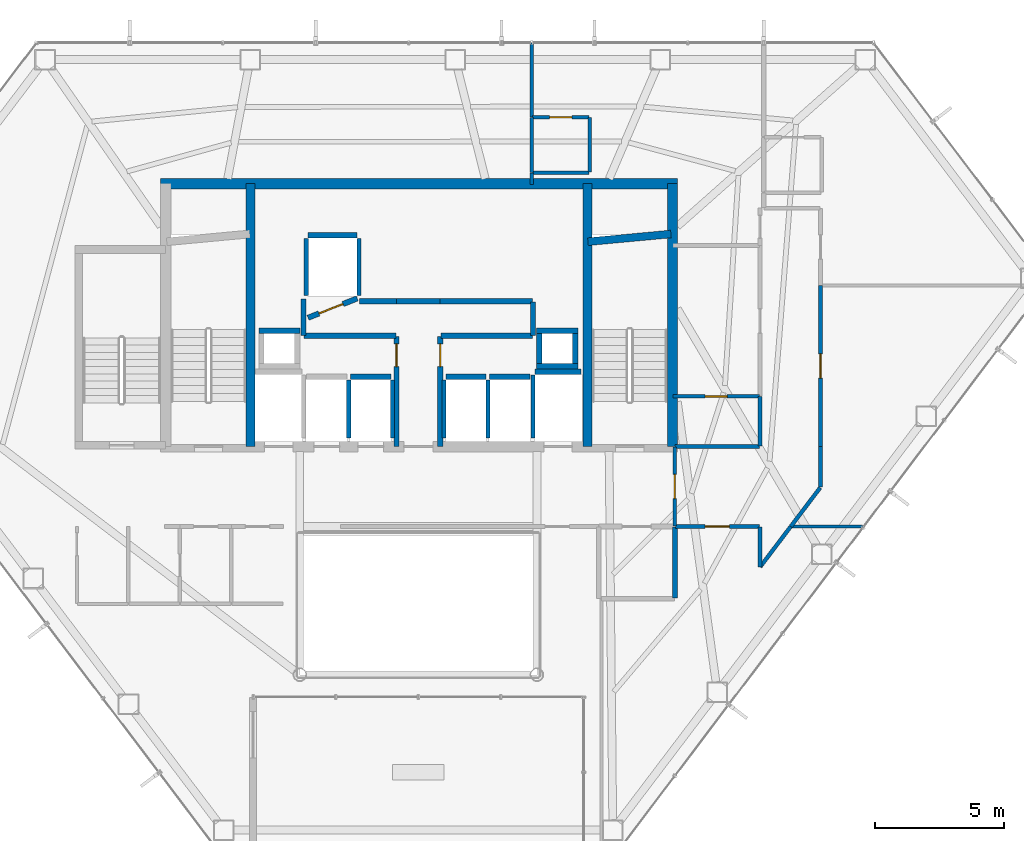
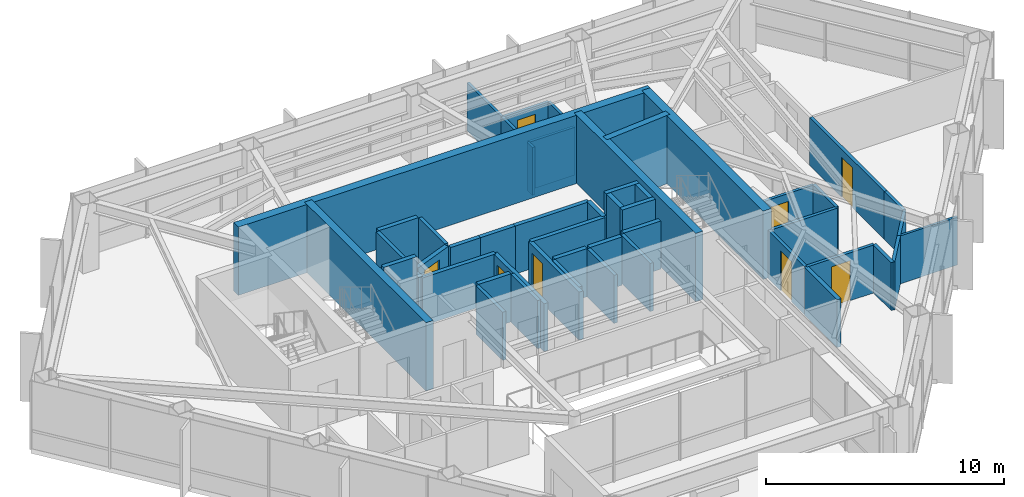
# One storey, part 26 of 28: 50 walls, 8 doors, 8 openings.
"""IFC4 building model written with IfcOpenShell, lengths in metres."""

from ifc_helpers import new_model, si_unit, direction, frame, frame_2d, origin, place, context, subcontext, project, spatial, rectangle, extrude, material, layer, layer_set, type_object, element, fill, save


model = new_model("IFC4")

# Units and contexts
model_context = context("Model", 3, precision=1e-05, world=origin(), true_north=direction((0.0, 1.0)))
body_context = subcontext(model_context, "Body", "Model", "MODEL_VIEW")
ifc_project = project(units=[si_unit("LENGTHUNIT", "METRE"), si_unit("AREAUNIT", "SQUARE_METRE"), si_unit("VOLUMEUNIT", "CUBIC_METRE"), si_unit("PLANEANGLEUNIT", "RADIAN"), si_unit("MASSUNIT", "GRAM", prefix="KILO")], contexts=[model_context])

# Site, building, storey
site_placement = place(None, origin())
site = spatial("IfcSite", under=ifc_project, at=site_placement, CompositionType="ELEMENT")
building_placement = place(site_placement, origin())
building = spatial("IfcBuilding", under=site, at=building_placement, Name="Zarrinselat Tower", CompositionType="ELEMENT")
storey_placement = place(building_placement, frame((0.0, 0.0, 157.080078125)))
storey = spatial("IfcBuildingStorey", under=building, at=storey_placement, Name="L38", CompositionType="ELEMENT", Elevation=157.080078125)

# Wall
ifc_material_1 = material(Name="Concrete C40/50", Category="concrete")
ifc_layer_1 = layer(ifc_material_1, 0.18994140625)
ifc_layer_set_1 = layer_set([ifc_layer_1], Name="Concrete C40/50")
wall_type_1 = type_object("IfcWallType", Name="WAL-PART-EI120", PredefinedType="PARTITIONING", material=ifc_layer_set_1)
wall_1_placement = place(storey_placement, frame((48.35009765625, 27.3701171875, 0.0), z_axis=(0.0, 0.0, 1.0), x_axis=(0.0, 1.0, 0.0)))
element("IfcWall", 1, at=wall_1_placement, inside=storey, type_object=wall_type_1, Name="L38 Partition Wall 17", PredefinedType="PARTITIONING", context=body_context, shape_type="SweptSolid", body=[
    extrude(rectangle(XDim=2.759765625, YDim=0.18994140625, at=frame_2d((1.3798828125, 0.0))), origin(), (0.0, 0.0, 1.0), 2.45703125),
])

# Wall, opening, door
ifc_material_2 = material(Name="Fire-Rated Gypsum Board Partition", Category="gypsum")
ifc_layer_2 = layer(ifc_material_2, 0.14990234375)
ifc_layer_set_2 = layer_set([ifc_layer_2], Name="Fire-Rated Gypsum Board Partition")
wall_type_2 = type_object("IfcWallType", Name="WAL-PART-EI60", PredefinedType="PARTITIONING", material=ifc_layer_set_2)
wall_2_placement = place(storey_placement, frame((48.35009765625, 30.169921875, 0.0), z_axis=(0.0, 0.0, 1.0), x_axis=(0.0, 1.0, 0.0)))
wall_2 = element("IfcWall", 2, at=wall_2_placement, inside=storey, type_object=wall_type_2, Name="L38 Partition Wall 11", PredefinedType="PARTITIONING", context=body_context, shape_type="SweptSolid", body=[
    extrude(rectangle(XDim=3.06005859375, YDim=0.14990234375, at=frame_2d((1.530029296875, 0.0))), origin(), (0.0, 0.0, 1.0), 2.45703125),
])
opening_1_placement = place(wall_2_placement, frame((1.06005859375, 0.0, 0.0)))
opening_1 = element("IfcOpeningElement", 3, at=opening_1_placement, cuts=wall_2, Name="Opening ID-04", PredefinedType="OPENING", context=body_context, shape_type="SweptSolid", body=[
    extrude(rectangle(XDim=0.93994140625, YDim=2.050048828125, at=frame_2d((0.469970703125, 1.02490234375))), frame((0.0, 0.0849609375, 0.0), z_axis=(0.0, -1.0, 0.0), x_axis=(1.0, 0.0, 0.0)), (0.0, 0.0, 1.0), 0.169921875),
])
ifc_material_3 = material(Name="Fire-Rated Gypsum Board Partition")
door_type_1 = type_object("IfcDoorType", Name="DR-INT-FD30-ENT", OperationType="NOTDEFINED", PredefinedType="DOOR", material=ifc_material_3)
door_1_placement = place(opening_1_placement, origin())
door_1 = element("IfcDoor", 4, at=door_1_placement, inside=storey, type_object=door_type_1, Name="L38 Interior Door P11", OperationType="SINGLE_SWING_RIGHT", OverallHeight=2.050048828125, OverallWidth=0.93994140625, PredefinedType="DOOR", context=body_context, shape_type="SweptSolid", body=[
    extrude(rectangle(XDim=0.93994140625, YDim=2.050048828125, at=frame_2d((0.469970703125, 1.02490234375))), frame((0.0, 0.02490234375, 0.0), z_axis=(0.0, -1.0, 0.0), x_axis=(1.0, 0.0, 0.0)), (0.0, 0.0, 1.0), 0.050048828125),
])
fill(opening_1, door_1)

# Walls
wall_3_placement = place(storey_placement, frame((51.662109375, 28.585205078125, 0.0), z_axis=(0.0, 0.0, 1.0), x_axis=(0.603776226183, 0.797153855097, 0.0)))
element("IfcWall", 5, at=wall_3_placement, inside=storey, type_object=wall_type_2, Name="L38 Partition Wall 19", PredefinedType="PARTITIONING", context=body_context, shape_type="SweptSolid", body=[
    extrude(rectangle(XDim=1.9619140625, YDim=0.14990234375, at=frame_2d((0.98095703125, 0.0))), origin(), (0.0, 0.0, 1.0), 2.45703125),
])
wall_4_placement = place(storey_placement, frame((51.64990234375, 28.58935546875, 0.0), z_axis=(0.0, 0.0, 1.0), x_axis=(0.0, 1.0, 0.0)))
element("IfcWall", 6, at=wall_4_placement, inside=storey, type_object=wall_type_2, Name="L38 Partition Wall 20", PredefinedType="PARTITIONING", context=body_context, shape_type="SweptSolid", body=[
    extrude(rectangle(XDim=1.54052734375, YDim=0.14990234375, at=frame_2d((0.770263671875, 0.0))), origin(), (0.0, 0.0, 1.0), 2.45703125),
])

# Wall, opening, door
wall_5_placement = place(storey_placement, frame((48.3701171875, 30.14990234375, 0.0), z_axis=(0.0, 0.0, 1.0), x_axis=(1.0, 0.0, 0.0)))
wall_5 = element("IfcWall", 7, at=wall_5_placement, inside=storey, type_object=wall_type_2, Name="L38 Partition Wall 21", PredefinedType="PARTITIONING", context=body_context, shape_type="SweptSolid", body=[
    extrude(rectangle(XDim=3.259765625, YDim=0.14990234375, at=frame_2d((1.6298828125, 0.0))), origin(), (0.0, 0.0, 1.0), 2.45703125),
])
opening_2_placement = place(wall_5_placement, frame((1.159912109375, 0.0, 0.0)))
opening_2 = element("IfcOpeningElement", 8, at=opening_2_placement, cuts=wall_5, Name="Opening ID-04", PredefinedType="OPENING", context=body_context, shape_type="SweptSolid", body=[
    extrude(rectangle(XDim=0.93994140625, YDim=2.050048828125, at=frame_2d((0.469970703125, 1.02490234375))), frame((0.0, 0.0849609375, 0.0), z_axis=(0.0, -1.0, 0.0), x_axis=(1.0, 0.0, 0.0)), (0.0, 0.0, 1.0), 0.169921875),
])
door_2_placement = place(opening_2_placement, origin())
door_2 = element("IfcDoor", 9, at=door_2_placement, inside=storey, type_object=door_type_1, Name="L38 Interior Door P21", OperationType="SINGLE_SWING_RIGHT", OverallHeight=2.050048828125, OverallWidth=0.93994140625, PredefinedType="DOOR", context=body_context, shape_type="SweptSolid", body=[
    extrude(rectangle(XDim=0.93994140625, YDim=2.050048828125, at=frame_2d((0.469970703125, 1.02490234375))), frame((0.0, 0.02490234375, 0.0), z_axis=(0.0, -1.0, 0.0), x_axis=(1.0, 0.0, 0.0)), (0.0, 0.0, 1.0), 0.050048828125),
])
fill(opening_2, door_2)

wall_6_placement = place(storey_placement, frame((54.0, 33.25, 0.0), z_axis=(0.0, 0.0, 1.0), x_axis=(0.0, 1.0, 0.0)))
wall_6 = element("IfcWall", 10, at=wall_6_placement, inside=storey, type_object=wall_type_2, Name="L38 Partition Wall 22", PredefinedType="PARTITIONING", context=body_context, shape_type="SweptSolid", body=[
    extrude(rectangle(XDim=6.248291015625, YDim=0.14990234375, at=frame_2d((3.1240234375, 0.0))), origin(), (0.0, 0.0, 1.0), 2.45703125),
])
opening_3_placement = place(wall_6_placement, frame((2.654296875, 0.0, 0.0)))
opening_3 = element("IfcOpeningElement", 11, at=opening_3_placement, cuts=wall_6, Name="Opening ID-04", PredefinedType="OPENING", context=body_context, shape_type="SweptSolid", body=[
    extrude(rectangle(XDim=0.93994140625, YDim=2.050048828125, at=frame_2d((0.469970703125, 1.02490234375))), frame((0.0, 0.0849609375, 0.0), z_axis=(0.0, -1.0, 0.0), x_axis=(1.0, 0.0, 0.0)), (0.0, 0.0, 1.0), 0.169921875),
])
door_3_placement = place(opening_3_placement, origin())
door_3 = element("IfcDoor", 12, at=door_3_placement, inside=storey, type_object=door_type_1, Name="L38 Interior Door P22", OperationType="SINGLE_SWING_LEFT", OverallHeight=2.050048828125, OverallWidth=0.93994140625, PredefinedType="DOOR", context=body_context, shape_type="SweptSolid", body=[
    extrude(rectangle(XDim=0.93994140625, YDim=2.050048828125, at=frame_2d((0.469970703125, 1.02490234375))), frame((0.0, 0.02490234375, 0.0), z_axis=(0.0, -1.0, 0.0), x_axis=(1.0, 0.0, 0.0)), (0.0, 0.0, 1.0), 0.050048828125),
])
fill(opening_3, door_3)

# Walls
wall_7_placement = place(storey_placement, frame((54.0, 31.69140625, 0.0), z_axis=(0.0, 0.0, 1.0), x_axis=(0.0, 1.0, 0.0)))
element("IfcWall", 13, at=wall_7_placement, inside=storey, type_object=wall_type_2, Name="L38 Partition Wall 23", PredefinedType="PARTITIONING", context=body_context, shape_type="SweptSolid", body=[
    extrude(rectangle(XDim=1.55859375, YDim=0.14990234375, at=frame_2d((0.779296875, 0.0))), origin(), (0.0, 0.0, 1.0), 2.45703125),
])
wall_8_placement = place(storey_placement, frame((52.8505859375, 30.154052734375, 0.0), z_axis=(0.0, 0.0, 1.0), x_axis=(0.603767842841, 0.797160204696, 0.0)))
element("IfcWall", 14, at=wall_8_placement, inside=storey, type_object=wall_type_2, Name="L38 Partition Wall 24", PredefinedType="PARTITIONING", context=body_context, shape_type="SweptSolid", body=[
    extrude(rectangle(XDim=1.883544921875, YDim=0.14990234375, at=frame_2d((0.94189453125, 0.0))), origin(), (0.0, 0.0, 1.0), 2.45703125),
])
wall_9_placement = place(storey_placement, frame((48.364990234375, 33.25, 0.0), z_axis=(0.0, 0.0, 1.0), x_axis=(1.0, 0.0, 0.0)))
element("IfcWall", 15, at=wall_9_placement, inside=storey, type_object=wall_type_2, Name="L38 Partition Wall 28", PredefinedType="PARTITIONING", context=body_context, shape_type="SweptSolid", body=[
    extrude(rectangle(XDim=3.264892578125, YDim=0.14990234375, at=frame_2d((1.63232421875, 0.0))), origin(), (0.0, 0.0, 1.0), 2.45703125),
])
wall_10_placement = place(storey_placement, frame((51.64990234375, 33.27001953125, 0.0), z_axis=(0.0, 0.0, 1.0), x_axis=(0.0, 1.0, 0.0)))
element("IfcWall", 16, at=wall_10_placement, inside=storey, type_object=wall_type_2, Name="L38 Partition Wall 29", PredefinedType="PARTITIONING", context=body_context, shape_type="SweptSolid", body=[
    extrude(rectangle(XDim=1.92578125, YDim=0.14990234375, at=frame_2d((0.962890625, 0.0))), origin(), (0.0, 0.0, 1.0), 2.45703125),
])

# Wall, opening, door
ifc_material_4 = material(Name="Concrete C40/50", Category="concrete")
ifc_layer_3 = layer(ifc_material_4, 0.199951171875)
ifc_layer_set_3 = layer_set([ifc_layer_3], Name="Concrete C40/50")
wall_type_3 = type_object("IfcWallType", Name="WAL-PART-PLANT", PredefinedType="PARTITIONING", material=ifc_layer_set_3)
wall_11_placement = place(storey_placement, frame((37.550048828125, 33.264892578125, 0.0), z_axis=(0.0, 0.0, 1.0), x_axis=(0.0, 1.0, 0.0)))
wall_11 = element("IfcWall", 17, at=wall_11_placement, inside=storey, type_object=wall_type_3, Name="L38 Partition Wall 1", PredefinedType="PARTITIONING", context=body_context, shape_type="SweptSolid", body=[
    extrude(rectangle(XDim=4.26513671875, YDim=0.199951171875, at=frame_2d((2.132568359375, 0.0))), origin(), (0.0, 0.0, 1.0), 2.45703125),
])
opening_4_placement = place(wall_11_placement, frame((3.092529296875, 0.0, 0.0)))
opening_4 = element("IfcOpeningElement", 18, at=opening_4_placement, cuts=wall_11, Name="Opening ID-03", PredefinedType="OPENING", context=body_context, shape_type="SweptSolid", body=[
    extrude(rectangle(XDim=0.8798828125, YDim=2.050048828125, at=frame_2d((0.43994140625, 1.02490234375))), frame((0.0, 0.10986328125, 0.0), z_axis=(0.0, -1.0, 0.0), x_axis=(1.0, 0.0, 0.0)), (0.0, 0.0, 1.0), 0.219970703125),
])
ifc_material_5 = material(Name="Steel S355J2", Category="steel")
door_type_2 = type_object("IfcDoorType", Name="DR-INT-FD60-S", OperationType="NOTDEFINED", PredefinedType="DOOR", material=ifc_material_5)
door_4_placement = place(opening_4_placement, origin())
door_4 = element("IfcDoor", 19, at=door_4_placement, inside=storey, type_object=door_type_2, Name="L38 Interior Door P1", OperationType="SINGLE_SWING_LEFT", OverallHeight=2.050048828125, OverallWidth=0.8798828125, PredefinedType="DOOR", context=body_context, shape_type="SweptSolid", body=[
    extrude(rectangle(XDim=0.8798828125, YDim=2.050048828125, at=frame_2d((0.43994140625, 1.02490234375))), frame((0.0, 0.02490234375, 0.0), z_axis=(0.0, -1.0, 0.0), x_axis=(1.0, 0.0, 0.0)), (0.0, 0.0, 1.0), 0.050048828125),
])
fill(opening_4, door_4)

# Walls
wall_12_placement = place(storey_placement, frame((33.969970703125, 37.550048828125, 0.0), z_axis=(0.0, 0.0, 1.0), x_axis=(1.0, 0.0, 0.0)))
element("IfcWall", 20, at=wall_12_placement, inside=storey, type_object=wall_type_3, Name="L38 Partition Wall 2", PredefinedType="PARTITIONING", context=body_context, shape_type="SweptSolid", body=[
    extrude(rectangle(XDim=3.56005859375, YDim=0.199951171875, at=frame_2d((1.780029296875, 0.0))), origin(), (0.0, 0.0, 1.0), 2.45703125),
])
wall_13_placement = place(storey_placement, frame((33.949951171875, 37.570068359375, 0.0), z_axis=(0.0, 0.0, 1.0), x_axis=(0.0, 1.0, 0.0)))
element("IfcWall", 21, at=wall_13_placement, inside=storey, type_object=wall_type_3, Name="L38 Partition Wall 3", PredefinedType="PARTITIONING", context=body_context, shape_type="SweptSolid", body=[
    extrude(rectangle(XDim=1.4150390625, YDim=0.199951171875, at=frame_2d((0.70751953125, 0.0))), origin(), (0.0, 0.0, 1.0), 2.45703125),
])
wall_14_placement = place(storey_placement, frame((36.114990234375, 38.889892578125, 0.0), z_axis=(0.0, 0.0, 1.0), x_axis=(1.0, 0.0, 0.0)))
element("IfcWall", 22, at=wall_14_placement, inside=storey, type_object=wall_type_3, Name="L38 Partition Wall 4", PredefinedType="PARTITIONING", context=body_context, shape_type="SweptSolid", body=[
    extrude(rectangle(XDim=1.43505859375, YDim=0.199951171875, at=frame_2d((0.717529296875, 0.0))), origin(), (0.0, 0.0, 1.0), 2.45703125),
])
wall_15_placement = place(storey_placement, frame((37.550048828125, 38.889892578125, 0.0), z_axis=(0.0, 0.0, 1.0), x_axis=(1.0, 0.0, 0.0)))
element("IfcWall", 23, at=wall_15_placement, inside=storey, type_object=wall_type_3, Name="L38 Partition Wall 5", PredefinedType="PARTITIONING", context=body_context, shape_type="SweptSolid", body=[
    extrude(rectangle(XDim=1.699951171875, YDim=0.199951171875, at=frame_2d((0.85009765625, 0.0))), origin(), (0.0, 0.0, 1.0), 2.45703125),
])
wall_16_placement = place(storey_placement, frame((39.25, 38.889892578125, 0.0), z_axis=(0.0, 0.0, 1.0), x_axis=(1.0, 0.0, 0.0)))
element("IfcWall", 24, at=wall_16_placement, inside=storey, type_object=wall_type_3, Name="L38 Partition Wall 6", PredefinedType="PARTITIONING", context=body_context, shape_type="SweptSolid", body=[
    extrude(rectangle(XDim=3.580078125, YDim=0.199951171875, at=frame_2d((1.7900390625, 0.0))), origin(), (0.0, 0.0, 1.0), 2.45703125),
])
wall_17_placement = place(storey_placement, frame((42.85009765625, 37.570068359375, 0.0), z_axis=(0.0, 0.0, 1.0), x_axis=(0.0, 1.0, 0.0)))
element("IfcWall", 25, at=wall_17_placement, inside=storey, type_object=wall_type_3, Name="L38 Partition Wall 7", PredefinedType="PARTITIONING", context=body_context, shape_type="SweptSolid", body=[
    extrude(rectangle(XDim=1.300048828125, YDim=0.199951171875, at=frame_2d((0.64990234375, 0.0))), origin(), (0.0, 0.0, 1.0), 2.45703125),
])
wall_18_placement = place(storey_placement, frame((39.27001953125, 37.550048828125, 0.0), z_axis=(0.0, 0.0, 1.0), x_axis=(1.0, 0.0, 0.0)))
element("IfcWall", 26, at=wall_18_placement, inside=storey, type_object=wall_type_3, Name="L38 Partition Wall 8", PredefinedType="PARTITIONING", context=body_context, shape_type="SweptSolid", body=[
    extrude(rectangle(XDim=3.56005859375, YDim=0.199951171875, at=frame_2d((1.780029296875, 0.0))), origin(), (0.0, 0.0, 1.0), 2.45703125),
])

# Wall, opening, door
wall_19_placement = place(storey_placement, frame((39.25, 33.264892578125, 0.0), z_axis=(0.0, 0.0, 1.0), x_axis=(0.0, 1.0, 0.0)))
wall_19 = element("IfcWall", 27, at=wall_19_placement, inside=storey, type_object=wall_type_3, Name="L38 Partition Wall 9", PredefinedType="PARTITIONING", context=body_context, shape_type="SweptSolid", body=[
    extrude(rectangle(XDim=4.26513671875, YDim=0.199951171875, at=frame_2d((2.132568359375, 0.0))), origin(), (0.0, 0.0, 1.0), 2.45703125),
])
opening_5_placement = place(wall_19_placement, frame((3.092529296875, 0.0, 0.0)))
opening_5 = element("IfcOpeningElement", 28, at=opening_5_placement, cuts=wall_19, Name="Opening ID-03", PredefinedType="OPENING", context=body_context, shape_type="SweptSolid", body=[
    extrude(rectangle(XDim=0.8798828125, YDim=2.050048828125, at=frame_2d((0.43994140625, 1.02490234375))), frame((0.0, 0.10986328125, 0.0), z_axis=(0.0, -1.0, 0.0), x_axis=(1.0, 0.0, 0.0)), (0.0, 0.0, 1.0), 0.219970703125),
])
door_5_placement = place(opening_5_placement, origin())
door_5 = element("IfcDoor", 29, at=door_5_placement, inside=storey, type_object=door_type_2, Name="L38 Interior Door P9", OperationType="SINGLE_SWING_RIGHT", OverallHeight=2.050048828125, OverallWidth=0.8798828125, PredefinedType="DOOR", context=body_context, shape_type="SweptSolid", body=[
    extrude(rectangle(XDim=0.8798828125, YDim=2.050048828125, at=frame_2d((0.43994140625, 1.02490234375))), frame((0.0, 0.02490234375, 0.0), z_axis=(0.0, -1.0, 0.0), x_axis=(1.0, 0.0, 0.0)), (0.0, 0.0, 1.0), 0.050048828125),
])
fill(opening_5, door_5)

# Walls
ifc_material_6 = material(Name="Fire-Rated Gypsum Board Partition", Category="gypsum")
ifc_layer_4 = layer(ifc_material_6, 0.1201171875)
ifc_layer_set_4 = layer_set([ifc_layer_4], Name="Fire-Rated Gypsum Board Partition")
wall_type_4 = type_object("IfcWallType", Name="WAL-PART-STD", PredefinedType="PARTITIONING", material=ifc_layer_set_4)
wall_20_placement = place(storey_placement, frame((52.867431640625, 30.14990234375, 0.0), z_axis=(0.0, 0.0, 1.0), x_axis=(1.0, 0.0, 0.0)))
element("IfcWall", 30, at=wall_20_placement, inside=storey, type_object=wall_type_4, Name="L38 Partition Wall 40", PredefinedType="PARTITIONING", context=body_context, shape_type="SweptSolid", body=[
    extrude(rectangle(XDim=2.80029296875, YDim=0.1201171875, at=frame_2d((1.400146484375, 0.0))), origin(), (0.0, 0.0, 1.0), 2.45703125),
])
wall_21_placement = place(storey_placement, frame((42.800048828125, 46.034912109375, 0.0), z_axis=(0.0, 0.0, 1.0), x_axis=(0.0, 1.0, 0.0)))
element("IfcWall", 31, at=wall_21_placement, inside=storey, type_object=wall_type_4, Name="L38 Partition Wall 41", PredefinedType="PARTITIONING", context=body_context, shape_type="SweptSolid", body=[
    extrude(rectangle(XDim=2.86669921875, YDim=0.1201171875, at=frame_2d((1.433349609375, 0.0))), origin(), (0.0, 0.0, 1.0), 2.45703125),
])
wall_22_placement = place(storey_placement, frame((42.800048828125, 43.4150390625, 0.0), z_axis=(0.0, 0.0, 1.0), x_axis=(0.0, 1.0, 0.0)))
element("IfcWall", 32, at=wall_22_placement, inside=storey, type_object=wall_type_4, Name="L38 Partition Wall 42", PredefinedType="PARTITIONING", context=body_context, shape_type="SweptSolid", body=[
    extrude(rectangle(XDim=0.4599609375, YDim=0.1201171875, at=frame_2d((0.22998046875, 0.0))), origin(), (0.0, 0.0, 1.0), 2.45703125),
])
ifc_material_7 = material(Name="Fire-Rated Gypsum Board Partition", Category="gypsum")
ifc_layer_5 = layer(ifc_material_7, 0.135009765625)
ifc_layer_set_5 = layer_set([ifc_layer_5], Name="Fire-Rated Gypsum Board Partition")
wall_type_5 = type_object("IfcWallType", Name="WAL-PART-WET", PredefinedType="PARTITIONING", material=ifc_layer_set_5)
wall_23_placement = place(storey_placement, frame((42.800048828125, 43.885009765625, 0.0), z_axis=(0.0, 0.0, 1.0), x_axis=(0.0, 1.0, 0.0)))
element("IfcWall", 33, at=wall_23_placement, inside=storey, type_object=wall_type_5, Name="L38 Partition Wall 43", PredefinedType="PARTITIONING", context=body_context, shape_type="SweptSolid", body=[
    extrude(rectangle(XDim=2.139892578125, YDim=0.135009765625, at=frame_2d((1.06982421875, 0.0))), origin(), (0.0, 0.0, 1.0), 2.45703125),
])

# Wall, opening, door
wall_24_placement = place(storey_placement, frame((48.27490234375, 35.20068359375, 0.0), z_axis=(0.0, 0.0, 1.0), x_axis=(1.0, 0.0, 0.0)))
wall_24 = element("IfcWall", 34, at=wall_24_placement, inside=storey, type_object=wall_type_5, Name="L38 Partition Wall 51", PredefinedType="PARTITIONING", context=body_context, shape_type="SweptSolid", body=[
    extrude(rectangle(XDim=3.35498046875, YDim=0.135009765625, at=frame_2d((1.677490234375, 0.0))), origin(), (0.0, 0.0, 1.0), 2.45703125),
])
opening_6_placement = place(wall_24_placement, frame((1.24755859375, 0.0, 0.0)))
opening_6 = element("IfcOpeningElement", 35, at=opening_6_placement, cuts=wall_24, Name="Opening ID-06", PredefinedType="OPENING", context=body_context, shape_type="SweptSolid", body=[
    extrude(rectangle(XDim=0.860107421875, YDim=2.050048828125, at=frame_2d((0.43017578125, 1.02490234375))), frame((0.0, 0.077392578125, 0.0), z_axis=(0.0, -1.0, 0.0), x_axis=(1.0, 0.0, 0.0)), (0.0, 0.0, 1.0), 0.155029296875),
])
ifc_material_8 = material(Name="Extruded Aluminium Alloy EN AW-6063 T6", Category="aluminium")
door_type_3 = type_object("IfcDoorType", Name="DR-INT-WET-900", OperationType="NOTDEFINED", PredefinedType="DOOR", material=ifc_material_8)
door_6_placement = place(opening_6_placement, origin())
door_6 = element("IfcDoor", 36, at=door_6_placement, inside=storey, type_object=door_type_3, Name="L38 Interior Door P51", OperationType="SINGLE_SWING_RIGHT", OverallHeight=2.050048828125, OverallWidth=0.860107421875, PredefinedType="DOOR", context=body_context, shape_type="SweptSolid", body=[
    extrude(rectangle(XDim=0.860107421875, YDim=2.050048828125, at=frame_2d((0.43017578125, 1.02490234375))), frame((0.0, 0.02490234375, 0.0), z_axis=(0.0, -1.0, 0.0), x_axis=(1.0, 0.0, 0.0)), (0.0, 0.0, 1.0), 0.050048828125),
])
fill(opening_6, door_6)

# Walls
wall_25_placement = place(storey_placement, frame((42.820068359375, 43.8798828125, 0.0), z_axis=(0.0, 0.0, 1.0), x_axis=(1.0, 0.0, 0.0)))
element("IfcWall", 37, at=wall_25_placement, inside=storey, type_object=wall_type_5, Name="L38 Partition Wall 53", PredefinedType="PARTITIONING", context=body_context, shape_type="SweptSolid", body=[
    extrude(rectangle(XDim=2.2099609375, YDim=0.135009765625, at=frame_2d((1.10498046875, 0.0))), origin(), (0.0, 0.0, 1.0), 2.45703125),
])
wall_26_placement = place(storey_placement, frame((45.050048828125, 43.89990234375, 0.0), z_axis=(0.0, 0.0, 1.0), x_axis=(0.0, 1.0, 0.0)))
element("IfcWall", 38, at=wall_26_placement, inside=storey, type_object=wall_type_5, Name="L38 Partition Wall 54", PredefinedType="PARTITIONING", context=body_context, shape_type="SweptSolid", body=[
    extrude(rectangle(XDim=2.110107421875, YDim=0.135009765625, at=frame_2d((1.05517578125, 0.0))), origin(), (0.0, 0.0, 1.0), 2.45703125),
])

# Wall, opening, door
wall_27_placement = place(storey_placement, frame((42.820068359375, 46.030029296875, 0.0), z_axis=(0.0, 0.0, 1.0), x_axis=(1.0, 0.0, 0.0)))
wall_27 = element("IfcWall", 39, at=wall_27_placement, inside=storey, type_object=wall_type_5, Name="L38 Partition Wall 55", PredefinedType="PARTITIONING", context=body_context, shape_type="SweptSolid", body=[
    extrude(rectangle(XDim=2.2099609375, YDim=0.135009765625, at=frame_2d((1.10498046875, 0.0))), origin(), (0.0, 0.0, 1.0), 2.45703125),
])
opening_7_placement = place(wall_27_placement, frame((0.675048828125, 0.0, 0.0)))
opening_7 = element("IfcOpeningElement", 40, at=opening_7_placement, cuts=wall_27, Name="Opening ID-06", PredefinedType="OPENING", context=body_context, shape_type="SweptSolid", body=[
    extrude(rectangle(XDim=0.860107421875, YDim=2.050048828125, at=frame_2d((0.43017578125, 1.02490234375))), frame((0.0, 0.077392578125, 0.0), z_axis=(0.0, -1.0, 0.0), x_axis=(1.0, 0.0, 0.0)), (0.0, 0.0, 1.0), 0.155029296875),
])
door_7_placement = place(opening_7_placement, origin())
door_7 = element("IfcDoor", 41, at=door_7_placement, inside=storey, type_object=door_type_3, Name="L38 Interior Door P55", OperationType="SINGLE_SWING_LEFT", OverallHeight=2.050048828125, OverallWidth=0.860107421875, PredefinedType="DOOR", context=body_context, shape_type="SweptSolid", body=[
    extrude(rectangle(XDim=0.860107421875, YDim=2.050048828125, at=frame_2d((0.43017578125, 1.02490234375))), frame((0.0, 0.02490234375, 0.0), z_axis=(0.0, -1.0, 0.0), x_axis=(1.0, 0.0, 0.0)), (0.0, 0.0, 1.0), 0.050048828125),
])
fill(opening_7, door_7)

# Walls
ifc_material_9 = material(Name="Concrete C40/50", Category="concrete")
ifc_layer_6 = layer(ifc_material_9, 0.2099609375)
ifc_layer_set_6 = layer_set([ifc_layer_6], Name="Concrete C40/50")
wall_type_6 = type_object("IfcWallType", Name="WAL-SHAFT-210", PredefinedType="SOLIDWALL", material=ifc_layer_set_6)
wall_28_placement = place(storey_placement, frame((42.919921875, 36.155029296875, 0.0), z_axis=(0.0, 0.0, 1.0), x_axis=(1.0, 0.0, 0.0)))
element("IfcWall", 42, at=wall_28_placement, inside=storey, type_object=wall_type_6, Name="L38 Lift FFL2 North Shaft Wall", PredefinedType="SOLIDWALL", context=body_context, shape_type="SweptSolid", body=[
    extrude(rectangle(XDim=1.800048828125, YDim=0.2099609375, at=frame_2d((0.89990234375, 0.0))), origin(), (0.0, 0.0, 1.0), 2.471923828125),
])
wall_29_placement = place(storey_placement, frame((42.85009765625, 33.580078125, 0.0), z_axis=(0.0, 0.0, 1.0), x_axis=(0.0, 1.0, 0.0)))
element("IfcWall", 43, at=wall_29_placement, inside=storey, type_object=wall_type_6, Name="L38 Lift FFL2 W Shaft Wall", PredefinedType="SOLIDWALL", context=body_context, shape_type="SweptSolid", body=[
    extrude(rectangle(XDim=2.449951171875, YDim=0.159912109375, at=frame_2d((1.22509765625, 0.0))), origin(), (0.0, 0.0, 1.0), 2.471923828125),
])
wall_30_placement = place(storey_placement, frame((35.699951171875, 33.580078125, 0.0), z_axis=(0.0, 0.0, 1.0), x_axis=(0.0, 1.0, 0.0)))
element("IfcWall", 44, at=wall_30_placement, inside=storey, type_object=wall_type_6, Name="L38 Lift PL5 E Shaft Wall", PredefinedType="SOLIDWALL", context=body_context, shape_type="SweptSolid", body=[
    extrude(rectangle(XDim=2.25, YDim=0.159912109375, at=frame_2d((1.125, 0.0))), origin(), (0.0, 0.0, 1.0), 2.471923828125),
])
wall_31_placement = place(storey_placement, frame((35.77001953125, 35.955078125, 0.0), z_axis=(0.0, 0.0, 1.0), x_axis=(1.0, 0.0, 0.0)))
element("IfcWall", 45, at=wall_31_placement, inside=storey, type_object=wall_type_6, Name="L38 Lift PL6 North Shaft Wall", PredefinedType="SOLIDWALL", context=body_context, shape_type="SweptSolid", body=[
    extrude(rectangle(XDim=1.56005859375, YDim=0.2099609375, at=frame_2d((0.780029296875, 0.0))), origin(), (0.0, 0.0, 1.0), 2.471923828125),
])
wall_32_placement = place(storey_placement, frame((37.39990234375, 33.580078125, 0.0), z_axis=(0.0, 0.0, 1.0), x_axis=(0.0, 1.0, 0.0)))
element("IfcWall", 46, at=wall_32_placement, inside=storey, type_object=wall_type_6, Name="L38 Lift PL6 E Shaft Wall", PredefinedType="SOLIDWALL", context=body_context, shape_type="SweptSolid", body=[
    extrude(rectangle(XDim=2.25, YDim=0.159912109375, at=frame_2d((1.125, 0.0))), origin(), (0.0, 0.0, 1.0), 2.471923828125),
])

# Wall, opening, door
wall_33_placement = place(storey_placement, frame((34.1201171875, 38.25, 0.0), z_axis=(0.0, 0.0, 1.0), x_axis=(0.930804993012, 0.36551616241, 0.0)))
wall_33 = element("IfcWall", 47, at=wall_33_placement, inside=storey, type_object=wall_type_6, Name="L38 Lift PL7 Front Shaft Wall", PredefinedType="SOLIDWALL", context=body_context, shape_type="SweptSolid", body=[
    extrude(rectangle(XDim=2.052001953125, YDim=0.2099609375, at=frame_2d((1.02587890625, 0.0))), origin(), (0.0, 0.0, 1.0), 2.471923828125),
])
opening_8_placement = place(wall_33_placement, frame((0.455078125, 0.0, 0.0)))
opening_8 = element("IfcOpeningElement", 48, at=opening_8_placement, cuts=wall_33, Name="Opening LD-PL7", PredefinedType="OPENING", context=body_context, shape_type="SweptSolid", body=[
    extrude(rectangle(XDim=1.0, YDim=2.10009765625, at=frame_2d((0.5, 1.050048828125))), frame((0.0, 0.114990234375, 0.0), z_axis=(0.0, -1.0, 0.0), x_axis=(1.0, 0.0, 0.0)), (0.0, 0.0, 1.0), 0.22998046875),
])
ifc_material_10 = material(Name="Steel S355J2", Category="steel")
door_type_4 = type_object("IfcDoorType", Name="DR-LIFT-PS-1000", OperationType="NOTDEFINED", PredefinedType="DOOR", material=ifc_material_10)
door_8_placement = place(opening_8_placement, origin())
door_8 = element("IfcDoor", 49, at=door_8_placement, inside=storey, type_object=door_type_4, Name="L38 Lift PL7 Sliding Landing Door", OperationType="SLIDING_TO_LEFT", OverallHeight=2.10009765625, OverallWidth=1.0, PredefinedType="DOOR", context=body_context, shape_type="SweptSolid", body=[
    extrude(rectangle(XDim=1.0, YDim=2.10009765625, at=frame_2d((0.5, 1.050048828125))), frame((0.0, 0.02490234375, 0.0), z_axis=(0.0, -1.0, 0.0), x_axis=(1.0, 0.0, 0.0)), (0.0, 0.0, 1.0), 0.050048828125),
])
fill(opening_8, door_8)

# Walls
wall_34_placement = place(storey_placement, frame((34.1201171875, 41.455078125, 0.0), z_axis=(0.0, 0.0, 1.0), x_axis=(1.0, 0.0, 0.0)))
element("IfcWall", 50, at=wall_34_placement, inside=storey, type_object=wall_type_6, Name="L38 Lift PL7 Rear Shaft Wall", PredefinedType="SOLIDWALL", context=body_context, shape_type="SweptSolid", body=[
    extrude(rectangle(XDim=1.909912109375, YDim=0.2099609375, at=frame_2d((0.955078125, 0.0))), origin(), (0.0, 0.0, 1.0), 2.471923828125),
])
for number, where, z_axis, x_axis, name in (
    (51, (34.050048828125, 39.1201171875, 0.0), (0.0, 0.0, 1.0), (0.0, 1.0, 0.0), "L38 Lift PL7 W Shaft Wall"),
    (52, (36.10009765625, 39.1201171875, 0.0), (0.0, 0.0, 1.0), (0.0, 1.0, 0.0), "L38 Lift PL7 E Shaft Wall"),
):
    element("IfcWall", number, at=place(storey_placement, frame(where, z_axis=z_axis, x_axis=x_axis)), inside=storey, type_object=wall_type_6, Name=name, PredefinedType="SOLIDWALL", context=body_context, shape_type="SweptSolid", body=[
        extrude(rectangle(XDim=2.2099609375, YDim=0.159912109375, at=frame_2d((1.10498046875, 0.0))), origin(), (0.0, 0.0, 1.0), 2.471923828125),
    ])
wall_35_placement = place(storey_placement, frame((39.469970703125, 35.955078125, 0.0), z_axis=(0.0, 0.0, 1.0), x_axis=(1.0, 0.0, 0.0)))
element("IfcWall", 53, at=wall_35_placement, inside=storey, type_object=wall_type_6, Name="L38 Lift PL8 North Shaft Wall", PredefinedType="SOLIDWALL", context=body_context, shape_type="SweptSolid", body=[
    extrude(rectangle(XDim=1.56005859375, YDim=0.2099609375, at=frame_2d((0.780029296875, 0.0))), origin(), (0.0, 0.0, 1.0), 2.471923828125),
])
for number, where, z_axis, x_axis, name in (
    (54, (39.39990234375, 33.580078125, 0.0), (0.0, 0.0, 1.0), (0.0, 1.0, 0.0), "L38 Lift PL8 W Shaft Wall"),
    (55, (41.10009765625, 33.580078125, 0.0), (0.0, 0.0, 1.0), (0.0, 1.0, 0.0), "L38 Lift PL8 E Shaft Wall"),
):
    element("IfcWall", number, at=place(storey_placement, frame(where, z_axis=z_axis, x_axis=x_axis)), inside=storey, type_object=wall_type_6, Name=name, PredefinedType="SOLIDWALL", context=body_context, shape_type="SweptSolid", body=[
        extrude(rectangle(XDim=2.25, YDim=0.159912109375, at=frame_2d((1.125, 0.0))), origin(), (0.0, 0.0, 1.0), 2.471923828125),
    ])
wall_36_placement = place(storey_placement, frame((41.169921875, 35.955078125, 0.0), z_axis=(0.0, 0.0, 1.0), x_axis=(1.0, 0.0, 0.0)))
element("IfcWall", 56, at=wall_36_placement, inside=storey, type_object=wall_type_6, Name="L38 Lift PL9 North Shaft Wall", PredefinedType="SOLIDWALL", context=body_context, shape_type="SweptSolid", body=[
    extrude(rectangle(XDim=1.56005859375, YDim=0.2099609375, at=frame_2d((0.780029296875, 0.0))), origin(), (0.0, 0.0, 1.0), 2.471923828125),
])
for number, where, z_axis, x_axis, name in (
    (57, (32.2099609375, 37.7451171875, 0.0), (0.0, 0.0, 1.0), (1.0, 0.0, 0.0), "L38 Core Riser RSR-W N Shaft Wall"),
    (58, (42.989990234375, 36.375, 0.0), (0.0, 0.0, 1.0), (1.0, 0.0, 0.0), "L38 Core Riser RSR-E S Shaft Wall"),
    (59, (42.989990234375, 37.7451171875, 0.0), (0.0, 0.0, 1.0), (1.0, 0.0, 0.0), "L38 Core Riser RSR-E N Shaft Wall"),
):
    element("IfcWall", number, at=place(storey_placement, frame(where, z_axis=z_axis, x_axis=x_axis)), inside=storey, type_object=wall_type_6, Name=name, PredefinedType="SOLIDWALL", context=body_context, shape_type="SweptSolid", body=[
        extrude(rectangle(XDim=1.60009765625, YDim=0.2099609375, at=frame_2d((0.800048828125, 0.0))), origin(), (0.0, 0.0, 1.0), 3.5),
    ])
for number, where, z_axis, x_axis, name in (
    (60, (43.094970703125, 36.485107421875, 0.0), (0.0, 0.0, 1.0), (0.0, 1.0, 0.0), "L38 Core Riser RSR-E W Shaft Wall"),
    (61, (44.485107421875, 36.485107421875, 0.0), (0.0, 0.0, 1.0), (0.0, 1.0, 0.0), "L38 Core Riser RSR-E E Shaft Wall"),
):
    element("IfcWall", number, at=place(storey_placement, frame(where, z_axis=z_axis, x_axis=x_axis)), inside=storey, type_object=wall_type_6, Name=name, PredefinedType="SOLIDWALL", context=body_context, shape_type="SweptSolid", body=[
        extrude(rectangle(XDim=1.14990234375, YDim=0.2099609375, at=frame_2d((0.574951171875, 0.0))), origin(), (0.0, 0.0, 1.0), 3.5),
    ])
ifc_material_11 = material(Name="Concrete C40/50", Category="concrete")
ifc_layer_7 = layer(ifc_material_11, 0.300048828125)
ifc_layer_set_7 = layer_set([ifc_layer_7], Name="Concrete C40/50")
wall_type_7 = type_object("IfcWallType", Name="WAL-SHEAR-300", PredefinedType="SHEAR", material=ifc_layer_set_7)
wall_37_placement = place(storey_placement, frame((44.97998046875, 41.199951171875, 0.0), z_axis=(0.0, 0.0, 1.0), x_axis=(0.995686468965, 0.09278176286, 0.0)))
element("IfcWall", 62, at=wall_37_placement, inside=storey, type_object=wall_type_7, Name="L38 Stair 2 North Shaft Wall", PredefinedType="SHEAR", context=body_context, shape_type="SweptSolid", body=[
    extrude(rectangle(XDim=3.23388671875, YDim=0.300048828125, at=frame_2d((1.616943359375, 0.0))), origin(), (0.0, 0.0, 1.0), 3.5),
])
ifc_material_12 = material(Name="Concrete C50/60", Category="concrete")
ifc_layer_8 = layer(ifc_material_12, 0.35009765625)
ifc_layer_set_8 = layer_set([ifc_layer_8], Name="Concrete C50/60")
wall_type_8 = type_object("IfcWallType", Name="WAL-SHEAR-350", PredefinedType="SHEAR", material=ifc_layer_set_8)
for number, where, z_axis, x_axis, name in (
    (63, (31.89501953125, 33.25, 0.0), (0.0, 0.0, 1.0), (0.0, 1.0, 0.0), "L38 Core Shear Wall ST1E"),
    (64, (44.965087890625, 33.25, 0.0), (0.0, 0.0, 1.0), (0.0, 1.0, 0.0), "L38 Core Shear Wall ST2W"),
):
    element("IfcWall", number, at=place(storey_placement, frame(where, z_axis=z_axis, x_axis=x_axis)), inside=storey, type_object=wall_type_8, Name=name, PredefinedType="SHEAR", context=body_context, shape_type="SweptSolid", body=[
        extrude(rectangle(XDim=10.199951171875, YDim=0.35009765625, at=frame_2d((5.10009765625, 0.0))), origin(), (0.0, 0.0, 1.0), 3.5),
    ])
ifc_material_13 = material(Name="Concrete C60/75", Category="concrete")
ifc_layer_9 = layer(ifc_material_13, 0.39990234375)
ifc_layer_set_9 = layer_set([ifc_layer_9], Name="Concrete C60/75")
wall_type_9 = type_object("IfcWallType", Name="WAL-SHEAR-400", PredefinedType="SHEAR", material=ifc_layer_set_9)
wall_38_placement = place(storey_placement, frame((28.39990234375, 43.449951171875, 0.0), z_axis=(0.0, 0.0, 1.0), x_axis=(1.0, 0.0, 0.0)))
element("IfcWall", 65, at=wall_38_placement, inside=storey, type_object=wall_type_9, Name="L38 North Core Shear Wall", PredefinedType="SHEAR", context=body_context, shape_type="SweptSolid", body=[
    extrude(rectangle(XDim=20.06005859375, YDim=0.39990234375, at=frame_2d((10.030029296875, 0.0))), origin(), (0.0, 0.0, 1.0), 3.5),
])
wall_39_placement = place(storey_placement, frame((48.260009765625, 33.25, 0.0), z_axis=(0.0, 0.0, 1.0), x_axis=(0.0, 1.0, 0.0)))
element("IfcWall", 66, at=wall_39_placement, inside=storey, type_object=wall_type_9, Name="L38 Core Shear Wall E", PredefinedType="SHEAR", context=body_context, shape_type="SweptSolid", body=[
    extrude(rectangle(XDim=10.199951171875, YDim=0.39990234375, at=frame_2d((5.10009765625, 0.0))), origin(), (0.0, 0.0, 1.0), 3.5),
])

save(model, "model.ifc")
